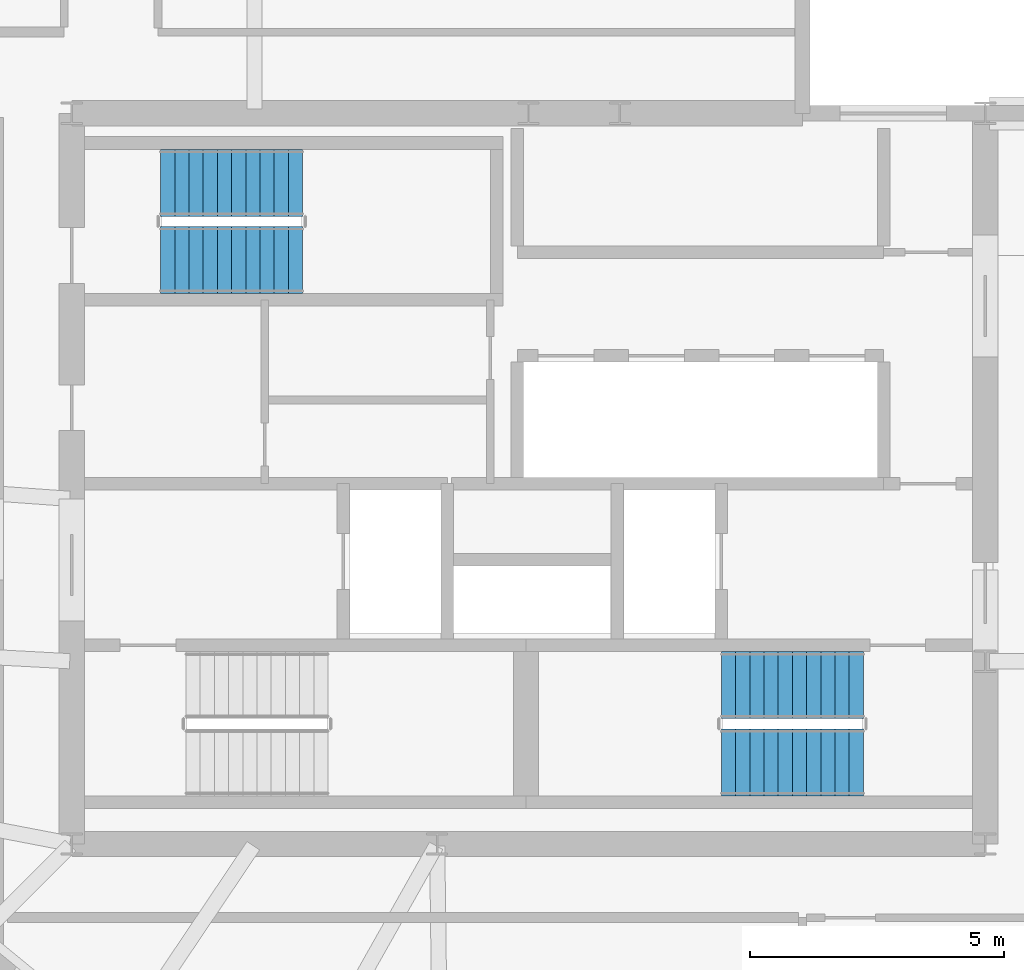
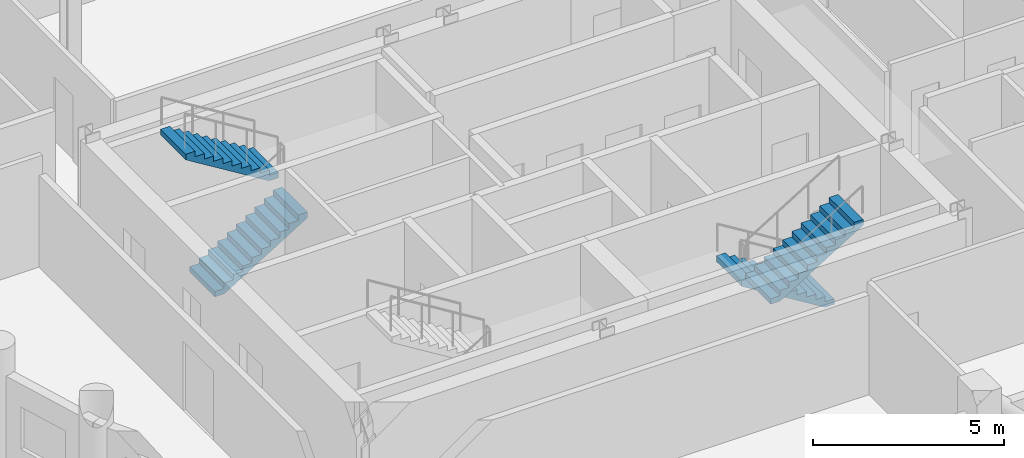
# One storey, part 7 of 9: 4 stair flights, 2 elements without a shape of their own.
"""IFC4 building model written with IfcOpenShell, lengths in metres."""

from ifc_helpers import new_model, si_unit, direction, frame, origin, place, context, subcontext, project, spatial, polyline, outline, extrude, material, type_object, element, aggregate, save


model = new_model("IFC4")

# Units and contexts
model_context = context("Model", 3, precision=1e-05, world=origin(), true_north=direction((0.0, 1.0)))
body_context = subcontext(model_context, "Body", "Model", "MODEL_VIEW")
ifc_project = project(units=[si_unit("LENGTHUNIT", "METRE"), si_unit("AREAUNIT", "SQUARE_METRE"), si_unit("VOLUMEUNIT", "CUBIC_METRE"), si_unit("PLANEANGLEUNIT", "RADIAN"), si_unit("MASSUNIT", "GRAM", prefix="KILO")], contexts=[model_context])

# Site, building, storey
site_placement = place(None, origin())
site = spatial("IfcSite", under=ifc_project, at=site_placement, CompositionType="ELEMENT")
building_placement = place(site_placement, origin())
building = spatial("IfcBuilding", under=site, at=building_placement, Name="Solnavia Interchange Tower", CompositionType="ELEMENT")
storey_placement = place(building_placement, frame((0.0, 0.0, 154.199951171875)))
storey = spatial("IfcBuildingStorey", under=building, at=storey_placement, Name="L38", CompositionType="ELEMENT", Elevation=154.199951171875)

# Stair, stair flights
ifc_material = material(Name="Concrete C40/50", Category="concrete")
stair_type = type_object("IfcStairType", Name="Stair-Dogleg-RC", PredefinedType="HALF_TURN_STAIR", material=ifc_material)
stair_1_placement = place(storey_placement, origin())
stair_1 = element("IfcStair", 1, at=stair_1_placement, inside=storey, type_object=stair_type, Name="L38 Core exit stair 2", PredefinedType="HALF_TURN_STAIR")
stair_flight_type = type_object("IfcStairFlightType", Name="StairFlight-RC-150", PredefinedType="STRAIGHT", material=ifc_material)
stair_flight_1_placement = place(storey_placement, frame((30.0, 13.929931640625, 0.0), z_axis=(0.0, 0.0, 1.0), x_axis=(-1.0, 0.0, 0.0)))
stair_flight_1 = element("IfcStairFlight", 2, at=stair_flight_1_placement, type_object=stair_flight_type, Name="ST-2 flight 1", NumberOfRisers=11, NumberOfTreads=10, PredefinedType="STRAIGHT", RiserHeight=0.172727273, TreadLength=0.28, context=body_context, shape_type="SweptSolid", body=[
    extrude(outline(polyline([(0.0, 0.0), (0.0, 0.172607421875), (0.280029296875, 0.172607421875), (0.280029296875, 0.345458984375), (0.56005859375, 0.345458984375), (0.56005859375, 0.51806640625), (0.840087890625, 0.51806640625), (0.840087890625, 0.69091796875), (1.1201171875, 0.69091796875), (1.1201171875, 0.863525390625), (1.39990234375, 0.863525390625), (1.39990234375, 1.036376953125), (1.679931640625, 1.036376953125), (1.679931640625, 1.208984375), (1.9599609375, 1.208984375), (1.9599609375, 1.3818359375), (2.239990234375, 1.3818359375), (2.239990234375, 1.554443359375), (2.52001953125, 1.554443359375), (2.52001953125, 1.727294921875), (2.800048828125, 1.727294921875), (2.800048828125, 1.89990234375), (2.800048828125, 1.551025390625), (0.285400390625, 0.0), (0.0, 0.0)])), frame((0.0, 0.66015625, 0.0), z_axis=(0.0, -1.0, 0.0), x_axis=(1.0, 0.0, 0.0)), (0.0, 0.0, 1.0), 1.320068359375),
])
stair_flight_2_placement = place(storey_placement, frame((27.199951171875, 12.409912109375, 1.900146484375), z_axis=(0.0, 0.0, 1.0), x_axis=(1.0, 0.0, 0.0)))
stair_flight_2 = element("IfcStairFlight", 3, at=stair_flight_2_placement, type_object=stair_flight_type, Name="ST-2 flight 2", NumberOfRisers=11, NumberOfTreads=10, PredefinedType="STRAIGHT", RiserHeight=0.172727273, TreadLength=0.28, context=body_context, shape_type="SweptSolid", body=[
    extrude(outline(polyline([(0.0, 0.0), (0.0, 0.172607421875), (0.280029296875, 0.172607421875), (0.280029296875, 0.345458984375), (0.56005859375, 0.345458984375), (0.56005859375, 0.51806640625), (0.840087890625, 0.51806640625), (0.840087890625, 0.69091796875), (1.1201171875, 0.69091796875), (1.1201171875, 0.863525390625), (1.39990234375, 0.863525390625), (1.39990234375, 1.036376953125), (1.679931640625, 1.036376953125), (1.679931640625, 1.208984375), (1.9599609375, 1.208984375), (1.9599609375, 1.3818359375), (2.239990234375, 1.3818359375), (2.239990234375, 1.554443359375), (2.52001953125, 1.554443359375), (2.52001953125, 1.727294921875), (2.800048828125, 1.727294921875), (2.800048828125, 1.89990234375), (2.800048828125, 1.551025390625), (0.285400390625, 0.0), (0.0, 0.0)])), frame((0.0, 0.66015625, 0.0), z_axis=(0.0, -1.0, 0.0), x_axis=(1.0, 0.0, 0.0)), (0.0, 0.0, 1.0), 1.320068359375),
])
aggregate(stair_1, [stair_flight_1, stair_flight_2])

stair_2_placement = place(storey_placement, origin())
stair_2 = element("IfcStair", 4, at=stair_2_placement, inside=storey, type_object=stair_type, Name="L38 Core exit stair 3", PredefinedType="HALF_TURN_STAIR")
stair_flight_3_placement = place(storey_placement, frame((16.14990234375, 22.31005859375, 0.0), z_axis=(0.0, 0.0, 1.0), x_axis=(1.0, 0.0, 0.0)))
stair_flight_3 = element("IfcStairFlight", 5, at=stair_flight_3_placement, type_object=stair_flight_type, Name="ST-3 flight 1", NumberOfRisers=11, NumberOfTreads=10, PredefinedType="STRAIGHT", RiserHeight=0.172727273, TreadLength=0.28, context=body_context, shape_type="SweptSolid", body=[
    extrude(outline(polyline([(0.0, 0.0), (0.0, 0.172607421875), (0.280029296875, 0.172607421875), (0.280029296875, 0.345458984375), (0.56005859375, 0.345458984375), (0.56005859375, 0.51806640625), (0.840087890625, 0.51806640625), (0.840087890625, 0.69091796875), (1.1201171875, 0.69091796875), (1.1201171875, 0.863525390625), (1.39990234375, 0.863525390625), (1.39990234375, 1.036376953125), (1.679931640625, 1.036376953125), (1.679931640625, 1.208984375), (1.9599609375, 1.208984375), (1.9599609375, 1.3818359375), (2.239990234375, 1.3818359375), (2.239990234375, 1.554443359375), (2.52001953125, 1.554443359375), (2.52001953125, 1.727294921875), (2.800048828125, 1.727294921875), (2.800048828125, 1.89990234375), (2.800048828125, 1.551025390625), (0.285400390625, 0.0), (0.0, 0.0)])), frame((0.0, 0.66015625, 0.0), z_axis=(0.0, -1.0, 0.0), x_axis=(1.0, 0.0, 0.0)), (0.0, 0.0, 1.0), 1.320068359375),
])
stair_flight_4_placement = place(storey_placement, frame((18.949951171875, 23.830078125, 1.900146484375), z_axis=(0.0, 0.0, 1.0), x_axis=(-1.0, 0.0, 0.0)))
stair_flight_4 = element("IfcStairFlight", 6, at=stair_flight_4_placement, type_object=stair_flight_type, Name="ST-3 flight 2", NumberOfRisers=11, NumberOfTreads=10, PredefinedType="STRAIGHT", RiserHeight=0.172727273, TreadLength=0.28, context=body_context, shape_type="SweptSolid", body=[
    extrude(outline(polyline([(0.0, 0.0), (0.0, 0.172607421875), (0.280029296875, 0.172607421875), (0.280029296875, 0.345458984375), (0.56005859375, 0.345458984375), (0.56005859375, 0.51806640625), (0.840087890625, 0.51806640625), (0.840087890625, 0.69091796875), (1.1201171875, 0.69091796875), (1.1201171875, 0.863525390625), (1.39990234375, 0.863525390625), (1.39990234375, 1.036376953125), (1.679931640625, 1.036376953125), (1.679931640625, 1.208984375), (1.9599609375, 1.208984375), (1.9599609375, 1.3818359375), (2.239990234375, 1.3818359375), (2.239990234375, 1.554443359375), (2.52001953125, 1.554443359375), (2.52001953125, 1.727294921875), (2.800048828125, 1.727294921875), (2.800048828125, 1.89990234375), (2.800048828125, 1.551025390625), (0.285400390625, 0.0), (0.0, 0.0)])), frame((0.0, 0.66015625, 0.0), z_axis=(0.0, -1.0, 0.0), x_axis=(1.0, 0.0, 0.0)), (0.0, 0.0, 1.0), 1.320068359375),
])
aggregate(stair_2, [stair_flight_3, stair_flight_4])

save(model, "model.ifc")
